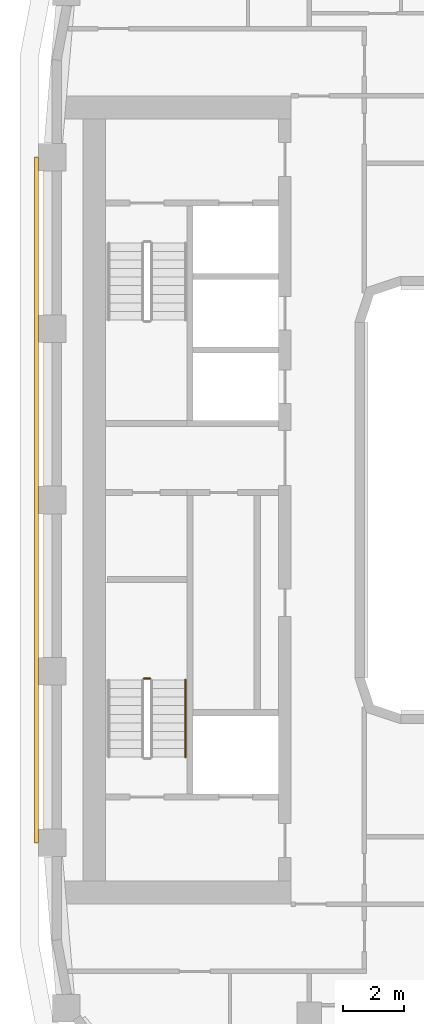
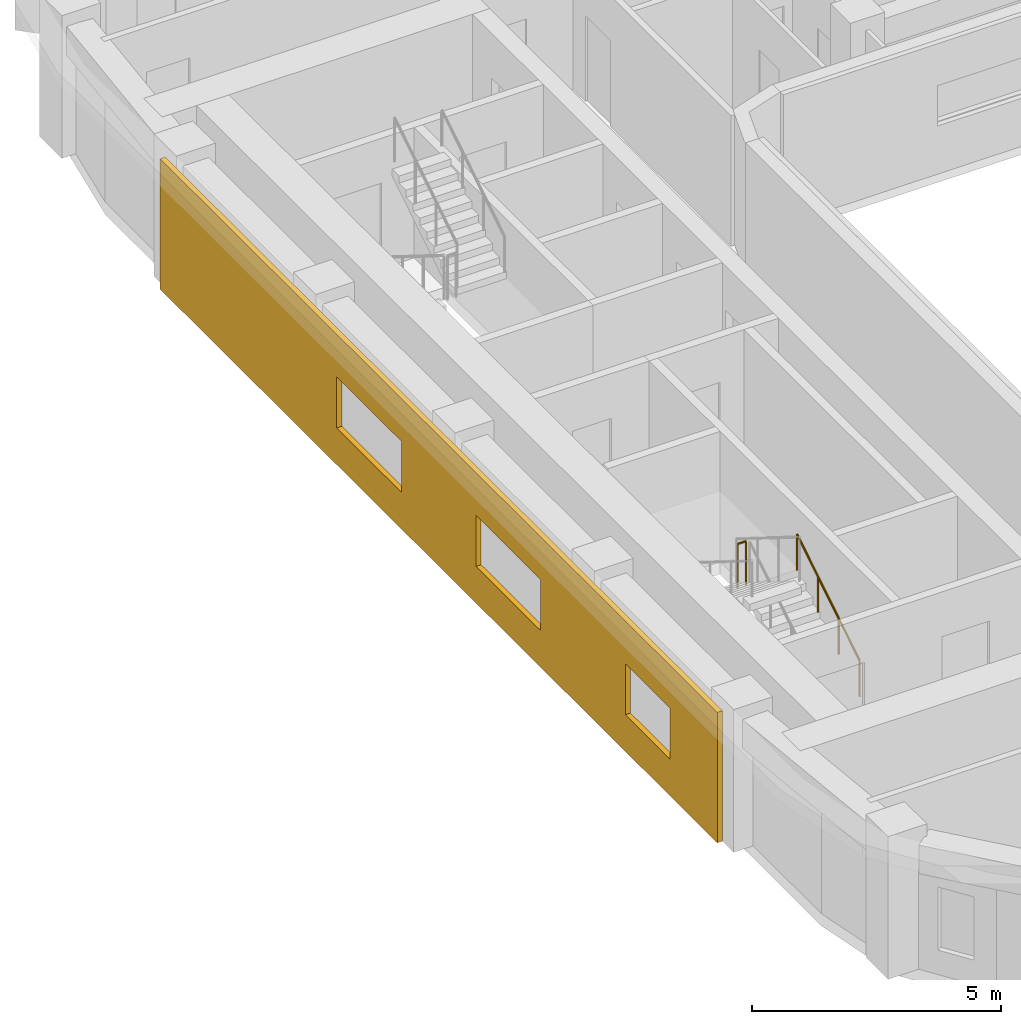
# One storey, part 12 of 21: 2 railings, 1 covering.
"""IFC4 building model written with IfcOpenShell, lengths in metres."""

from ifc_helpers import new_model, si_unit, direction, frame, origin, origin_2d, place, context, subcontext, project, spatial, polyline, circle, outline, extrude, material, layer, layer_set, type_object, element, save


model = new_model("IFC4")

# Units and contexts
model_context = context("Model", 3, precision=1e-05, world=origin(), true_north=direction((0.0, 1.0)))
body_context = subcontext(model_context, "Body", "Model", "MODEL_VIEW")
ifc_project = project(units=[si_unit("LENGTHUNIT", "METRE"), si_unit("AREAUNIT", "SQUARE_METRE"), si_unit("VOLUMEUNIT", "CUBIC_METRE"), si_unit("PLANEANGLEUNIT", "RADIAN"), si_unit("MASSUNIT", "GRAM", prefix="KILO")], contexts=[model_context])

# Site, building, storey
site_placement = place(None, origin())
site = spatial("IfcSite", under=ifc_project, at=site_placement, CompositionType="ELEMENT")
building_placement = place(site_placement, origin())
building = spatial("IfcBuilding", under=site, at=building_placement, Name="Kiln Ring Residences", CompositionType="ELEMENT")
storey_placement = place(building_placement, frame((0.0, 0.0, 199.39990234375)))
storey = spatial("IfcBuildingStorey", under=building, at=storey_placement, Name="L51", CompositionType="ELEMENT", Elevation=199.39990234375)

# Railings
ifc_material_1 = material(Name="Stainless steel", Category="steel")
railing_type_1 = type_object("IfcRailingType", Name="CORE-STAIR-GUARD", PredefinedType="GUARDRAIL", material=ifc_material_1)
railing_1_placement = place(storey_placement, frame((-22.0, -5.830078125, 1.75)))
element("IfcRailing", 1, at=railing_1_placement, inside=storey, type_object=railing_type_1, Name="L51 W-STS stair guard 2", PredefinedType="GUARDRAIL", context=body_context, shape_type="SweptSolid", body=[
    extrude(circle(Radius=0.02392578125, at=origin_2d()), frame((0.0, 0.0, 1.076171875), z_axis=(-1.0, 0.0, 0.0), x_axis=(0.0, -1.0, 0.0)), (0.0, 0.0, 1.0), 0.199951171875),
    extrude(circle(Radius=0.02099609375, at=origin_2d()), origin(), (0.0, 0.0, 1.0), 1.052001953125),
    extrude(circle(Radius=0.02099609375, at=origin_2d()), frame((-0.199951171875, 0.0, 0.0)), (0.0, 0.0, 1.0), 1.052001953125),
])
ifc_material_2 = material(Name="Stainless steel", Category="steel")
railing_type_2 = type_object("IfcRailingType", Name="CORE-STAIR-HANDRAIL", PredefinedType="HANDRAIL", material=ifc_material_2)
railing_2_placement = place(storey_placement, frame((-20.85009765625, -8.39990234375, 0.175048828125)))
element("IfcRailing", 2, at=railing_2_placement, inside=storey, type_object=railing_type_2, Name="L51 W-STS stair handrail 1", PredefinedType="HANDRAIL", context=body_context, shape_type="SweptSolid", body=[
    extrude(circle(Radius=0.02392578125, at=origin_2d()), frame((0.0, 0.0, 0.8759765625), z_axis=(0.0, 0.848007534815, 0.529984170421), x_axis=(-1.0, 0.0, 0.0)), (0.0, 0.0, 1.0), 2.9716796875),
    extrude(circle(Radius=0.02099609375, at=origin_2d()), origin(), (0.0, 0.0, 1.0), 0.851806640625),
    extrude(circle(Radius=0.02099609375, at=origin_2d()), frame((0.0, 0.840087890625, 0.52490234375)), (0.0, 0.0, 1.0), 0.851806640625),
    extrude(circle(Radius=0.02099609375, at=origin_2d()), frame((0.0, 1.679931640625, 1.050048828125)), (0.0, 0.0, 1.0), 0.851806640625),
    extrude(circle(Radius=0.02099609375, at=origin_2d()), frame((0.0, 2.52001953125, 1.574951171875)), (0.0, 0.0, 1.0), 0.851806640625),
])

# Covering
ifc_material_3 = material(Name="Brick masonry, dark clay brick", Category="masonry")
ifc_layer = layer(ifc_material_3, 0.1201171875)
ifc_layer_set = layer_set([ifc_layer], Name="RAINSCREEN PANEL 120")
covering_type = type_object("IfcCoveringType", Name="RAINSCREEN PANEL 120", PredefinedType="CLADDING", material=ifc_layer_set)
covering_placement = place(storey_placement, frame((-25.7099609375, 11.199951171875, 0.0), z_axis=(0.0, 0.0, 1.0), x_axis=(0.0, -1.0, 0.0)))
element("IfcCovering", 3, at=covering_placement, inside=storey, type_object=covering_type, Name="RAINSCREEN L51", PredefinedType="CLADDING", context=body_context, shape_type="SweptSolid", body=[
    extrude(outline(polyline([(0.0, 0.0), (22.39990234375, 0.0), (22.39990234375, 3.2001953125), (0.0, 3.2001953125), (0.0, 0.0)]), holes=[polyline([(9.699951171875, 2.150146484375), (7.10009765625, 2.150146484375), (7.10009765625, 0.900146484375), (9.699951171875, 0.900146484375), (9.699951171875, 2.150146484375)]), polyline([(15.300048828125, 0.900146484375), (15.300048828125, 2.150146484375), (12.699951171875, 2.150146484375), (12.699951171875, 0.900146484375), (15.300048828125, 0.900146484375)]), polyline([(20.5, 0.900146484375), (20.5, 2.150146484375), (18.699951171875, 2.150146484375), (18.699951171875, 0.900146484375), (20.5, 0.900146484375)])]), frame((0.0, 0.06005859375, 0.0), z_axis=(0.0, -1.0, 0.0), x_axis=(1.0, 0.0, 0.0)), (0.0, 0.0, 1.0), 0.1201171875),
])

save(model, "model.ifc")
